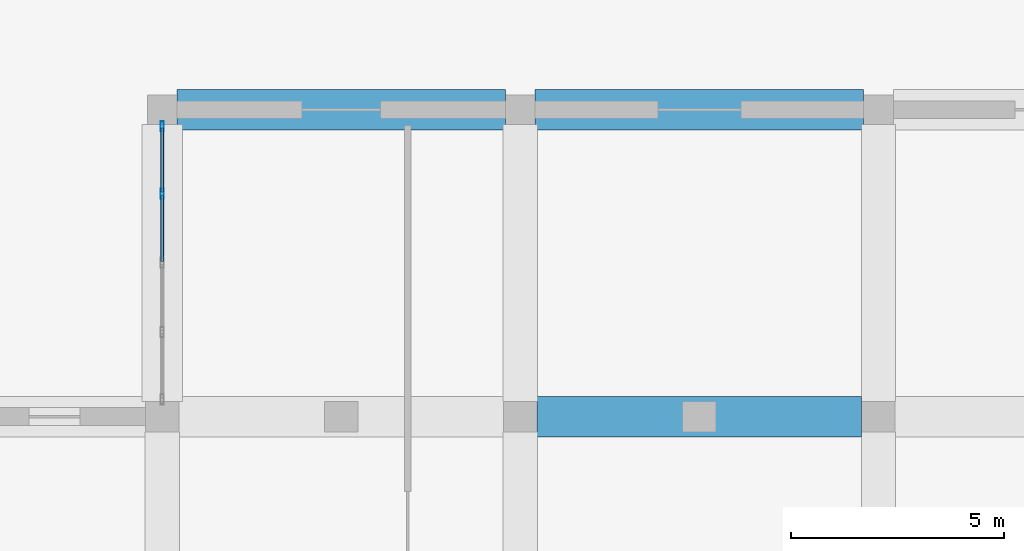
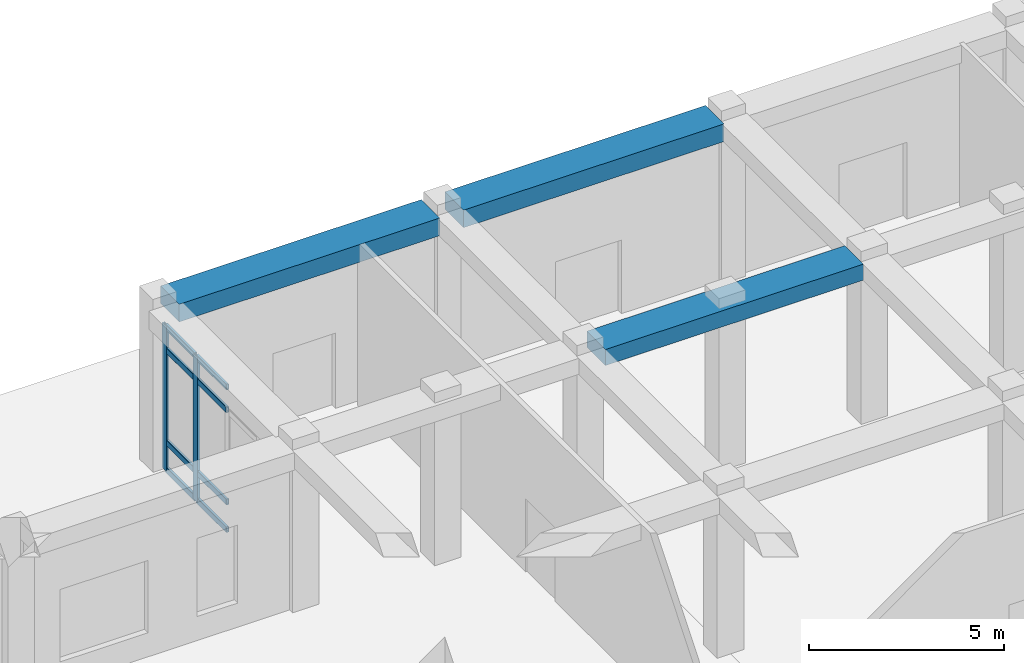
# One storey, part 35 of 84: 10 members, 3 beams, 1 element without a shape of its own.
"""IFC4 building model written with IfcOpenShell, lengths in metres."""

from ifc_helpers import new_model, si_unit, derived_unit, direction, frame, origin, origin_2d, place, context, subcontext, project, spatial, rectangle, hollow_rectangle, extrude, material, material_profile, profile_set, type_object, element, aggregate, save


model = new_model("IFC4")

# Units and contexts
model_context = context("Model", 3, precision=1e-05, world=origin(), true_north=direction((0.0, 1.0)))
body_context = subcontext(model_context, "Body", "Model", "MODEL_VIEW")
ifc_project = project(units=[si_unit("LENGTHUNIT", "METRE"), si_unit("AREAUNIT", "SQUARE_METRE"), si_unit("VOLUMEUNIT", "CUBIC_METRE"), si_unit("PLANEANGLEUNIT", "RADIAN"), si_unit("MASSUNIT", "GRAM", prefix="KILO"), derived_unit("THERMALTRANSMITTANCEUNIT", [(si_unit("POWERUNIT", "WATT"), 1), (si_unit("LENGTHUNIT", "METRE"), -2), (si_unit("THERMODYNAMICTEMPERATUREUNIT", "KELVIN"), -1)])], contexts=[model_context])

# Site, building, storey
site_placement = place(None, origin())
site = spatial("IfcSite", under=ifc_project, at=site_placement, CompositionType="ELEMENT")
building_placement = place(site_placement, origin())
building = spatial("IfcBuilding", under=site, at=building_placement, Name="Veybourne Emporium", CompositionType="ELEMENT")
storey_placement = place(building_placement, origin())
storey = spatial("IfcBuildingStorey", under=building, at=storey_placement, Name="L00", CompositionType="ELEMENT", Elevation=0.0)

# Curtain wall, members
ifc_material_1 = material(Name="Patinated Architectural Bronze", Category="bronze")
curtain_wall_type = type_object("IfcCurtainWallType", Name="CWSystem_CWS-03", PredefinedType="NOTDEFINED", material=ifc_material_1)
curtain_wall_placement = place(storey_placement, origin())
curtain_wall = element("IfcCurtainWall", 1, at=curtain_wall_placement, inside=storey, type_object=curtain_wall_type, Name="L00 bronze glazed curtain wall CWS-03 (030)", PredefinedType="NOTDEFINED")
ifc_material_profile_1 = material_profile(ifc_material_1, hollow_rectangle(XDim=0.077880859375, YDim=0.235107421875, WallThickness=0.0048828125, InnerFilletRadius=0.007568359375, OuterFilletRadius=0.012451171875, at=origin_2d()), Name="CWM 78x235x5")
ifc_profile_set_1 = profile_set([ifc_material_profile_1], Name="Patinated Architectural Bronze")
member_type_1 = type_object("IfcMemberType", Name="CWMullion_CW-M3", PredefinedType="MULLION", material=ifc_profile_set_1)
member_1_placement = place(storey_placement, frame((50.39990234375, 113.2275390625, 0.0), z_axis=(0.0, 0.0, 1.0), x_axis=(-1.0, 0.0, 0.0)))
member_1 = element("IfcMember", 2, at=member_1_placement, type_object=member_type_1, Name="CWS-03 mullion 4", PredefinedType="MULLION", context=body_context, shape_type="SweptSolid", body=[
    extrude(hollow_rectangle(XDim=0.077880859375, YDim=0.235107421875, WallThickness=0.0048828125, InnerFilletRadius=0.007568359375, OuterFilletRadius=0.012451171875, at=origin_2d()), origin(), (0.0, 0.0, 1.0), 4.530029296875),
])
member_2_placement = place(storey_placement, frame((50.39990234375, 114.81103515625, 0.0), z_axis=(0.0, 0.0, 1.0), x_axis=(-1.0, 0.0, 0.0)))
member_2 = element("IfcMember", 3, at=member_2_placement, type_object=member_type_1, Name="CWS-03 mullion 5", PredefinedType="MULLION", context=body_context, shape_type="SweptSolid", body=[
    extrude(hollow_rectangle(XDim=0.077880859375, YDim=0.235107421875, WallThickness=0.0048828125, InnerFilletRadius=0.007568359375, OuterFilletRadius=0.012451171875, at=origin_2d()), origin(), (0.0, 0.0, 1.0), 4.530029296875),
])
ifc_material_profile_2 = material_profile(ifc_material_1, hollow_rectangle(XDim=0.077880859375, YDim=0.18505859375, WallThickness=0.0048828125, InnerFilletRadius=0.007568359375, OuterFilletRadius=0.012451171875, at=origin_2d()), Name="CWT 78x185x5")
ifc_profile_set_2 = profile_set([ifc_material_profile_2], Name="Patinated Architectural Bronze")
member_type_2 = type_object("IfcMemberType", Name="CWTransom_CW-T3", PredefinedType="NOTDEFINED", material=ifc_profile_set_2)
member_3_placement = place(storey_placement, frame((50.39990234375, 111.64404296875, 0.0390625), z_axis=(0.0, 1.0, 0.0), x_axis=(-1.0, 0.0, 0.0)))
member_3 = element("IfcMember", 4, at=member_3_placement, type_object=member_type_2, Name="CWS-03 transom 3.1", ObjectType="TRANSOM", PredefinedType="USERDEFINED", context=body_context, shape_type="SweptSolid", body=[
    extrude(hollow_rectangle(XDim=0.077880859375, YDim=0.18505859375, WallThickness=0.0048828125, InnerFilletRadius=0.007568359375, OuterFilletRadius=0.012451171875, at=origin_2d()), origin(), (0.0, 0.0, 1.0), 1.54443359375),
])
member_4_placement = place(storey_placement, frame((50.39990234375, 111.64404296875, 0.89990234375), z_axis=(0.0, 1.0, 0.0), x_axis=(-1.0, 0.0, 0.0)))
member_4 = element("IfcMember", 5, at=member_4_placement, type_object=member_type_2, Name="CWS-03 transom 3.2", ObjectType="TRANSOM", PredefinedType="USERDEFINED", context=body_context, shape_type="SweptSolid", body=[
    extrude(hollow_rectangle(XDim=0.077880859375, YDim=0.18505859375, WallThickness=0.0048828125, InnerFilletRadius=0.007568359375, OuterFilletRadius=0.012451171875, at=origin_2d()), origin(), (0.0, 0.0, 1.0), 1.54443359375),
])
member_5_placement = place(storey_placement, frame((50.39990234375, 111.64404296875, 3.780029296875), z_axis=(0.0, 1.0, 0.0), x_axis=(-1.0, 0.0, 0.0)))
member_5 = element("IfcMember", 6, at=member_5_placement, type_object=member_type_2, Name="CWS-03 transom 3.3", ObjectType="TRANSOM", PredefinedType="USERDEFINED", context=body_context, shape_type="SweptSolid", body=[
    extrude(hollow_rectangle(XDim=0.077880859375, YDim=0.18505859375, WallThickness=0.0048828125, InnerFilletRadius=0.007568359375, OuterFilletRadius=0.012451171875, at=origin_2d()), origin(), (0.0, 0.0, 1.0), 1.54443359375),
])
member_6_placement = place(storey_placement, frame((50.39990234375, 111.64404296875, 4.490966796875), z_axis=(0.0, 1.0, 0.0), x_axis=(-1.0, 0.0, 0.0)))
member_6 = element("IfcMember", 7, at=member_6_placement, type_object=member_type_2, Name="CWS-03 transom 3.4", ObjectType="TRANSOM", PredefinedType="USERDEFINED", context=body_context, shape_type="SweptSolid", body=[
    extrude(hollow_rectangle(XDim=0.077880859375, YDim=0.18505859375, WallThickness=0.0048828125, InnerFilletRadius=0.007568359375, OuterFilletRadius=0.012451171875, at=origin_2d()), origin(), (0.0, 0.0, 1.0), 1.54443359375),
])
member_7_placement = place(storey_placement, frame((50.39990234375, 113.2666015625, 0.0390625), z_axis=(0.0, 1.0, 0.0), x_axis=(-1.0, 0.0, 0.0)))
member_7 = element("IfcMember", 8, at=member_7_placement, type_object=member_type_2, Name="CWS-03 transom 4.1", ObjectType="TRANSOM", PredefinedType="USERDEFINED", context=body_context, shape_type="SweptSolid", body=[
    extrude(hollow_rectangle(XDim=0.077880859375, YDim=0.18505859375, WallThickness=0.0048828125, InnerFilletRadius=0.007568359375, OuterFilletRadius=0.012451171875, at=origin_2d()), origin(), (0.0, 0.0, 1.0), 1.50537109375),
])
member_8_placement = place(storey_placement, frame((50.39990234375, 113.2666015625, 0.89990234375), z_axis=(0.0, 1.0, 0.0), x_axis=(-1.0, 0.0, 0.0)))
member_8 = element("IfcMember", 9, at=member_8_placement, type_object=member_type_2, Name="CWS-03 transom 4.2", ObjectType="TRANSOM", PredefinedType="USERDEFINED", context=body_context, shape_type="SweptSolid", body=[
    extrude(hollow_rectangle(XDim=0.077880859375, YDim=0.18505859375, WallThickness=0.0048828125, InnerFilletRadius=0.007568359375, OuterFilletRadius=0.012451171875, at=origin_2d()), origin(), (0.0, 0.0, 1.0), 1.50537109375),
])
member_9_placement = place(storey_placement, frame((50.39990234375, 113.2666015625, 3.780029296875), z_axis=(0.0, 1.0, 0.0), x_axis=(-1.0, 0.0, 0.0)))
member_9 = element("IfcMember", 10, at=member_9_placement, type_object=member_type_2, Name="CWS-03 transom 4.3", ObjectType="TRANSOM", PredefinedType="USERDEFINED", context=body_context, shape_type="SweptSolid", body=[
    extrude(hollow_rectangle(XDim=0.077880859375, YDim=0.18505859375, WallThickness=0.0048828125, InnerFilletRadius=0.007568359375, OuterFilletRadius=0.012451171875, at=origin_2d()), origin(), (0.0, 0.0, 1.0), 1.50537109375),
])
member_10_placement = place(storey_placement, frame((50.39990234375, 113.2666015625, 4.490966796875), z_axis=(0.0, 1.0, 0.0), x_axis=(-1.0, 0.0, 0.0)))
member_10 = element("IfcMember", 11, at=member_10_placement, type_object=member_type_2, Name="CWS-03 transom 4.4", ObjectType="TRANSOM", PredefinedType="USERDEFINED", context=body_context, shape_type="SweptSolid", body=[
    extrude(hollow_rectangle(XDim=0.077880859375, YDim=0.18505859375, WallThickness=0.0048828125, InnerFilletRadius=0.007568359375, OuterFilletRadius=0.012451171875, at=origin_2d()), origin(), (0.0, 0.0, 1.0), 1.50537109375),
])
aggregate(curtain_wall, [member_1, member_2, member_3, member_4, member_5, member_6, member_7, member_8, member_9, member_10])

# Beams
ifc_material_2 = material(Name="Concrete C32/40", Category="concrete")
ifc_material_profile_3 = material_profile(ifc_material_2, rectangle(XDim=0.949951171875, YDim=0.5, at=origin_2d()), Name="RC 950x500")
ifc_profile_set_3 = profile_set([ifc_material_profile_3], Name="Concrete C32/40")
beam_type_1 = type_object("IfcBeamType", Name="RCBeam_BB-01", PredefinedType="BEAM", material=ifc_profile_set_3)
beam_1_placement = place(storey_placement, frame((59.18994140625, 108.0, 4.830078125), z_axis=(1.0, 0.0, 0.0), x_axis=(0.0, 1.0, 0.0)))
element("IfcBeam", 12, at=beam_1_placement, inside=storey, type_object=beam_type_1, Name="L00 X-grid beam BB-01 (7,15)", PredefinedType="BEAM", context=body_context, shape_type="SweptSolid", body=[
    extrude(rectangle(XDim=0.949951171875, YDim=0.5, at=origin_2d()), origin(), (0.0, 0.0, 1.0), 7.6201171875),
])
ifc_material_profile_4 = material_profile(ifc_material_2, rectangle(XDim=0.949951171875, YDim=0.550048828125, at=origin_2d()), Name="RC 950x550")
ifc_profile_set_4 = profile_set([ifc_material_profile_4], Name="Concrete C32/40")
beam_type_2 = type_object("IfcBeamType", Name="RCBeam_EB-01", PredefinedType="SPANDREL", material=ifc_profile_set_4)
beam_2_placement = place(storey_placement, frame((50.75, 115.199951171875, 4.804931640625), z_axis=(1.0, 0.0, 0.0), x_axis=(0.0, 1.0, 0.0)))
element("IfcBeam", 13, at=beam_2_placement, inside=storey, type_object=beam_type_2, Name="L00 X-grid beam EB-01 (6,16)", PredefinedType="SPANDREL", context=body_context, shape_type="SweptSolid", body=[
    extrude(rectangle(XDim=0.949951171875, YDim=0.550048828125, at=origin_2d()), origin(), (0.0, 0.0, 1.0), 7.699951171875),
])
beam_3_placement = place(storey_placement, frame((59.14990234375, 115.199951171875, 4.804931640625), z_axis=(1.0, 0.0, 0.0), x_axis=(0.0, 1.0, 0.0)))
element("IfcBeam", 14, at=beam_3_placement, inside=storey, type_object=beam_type_2, Name="L00 X-grid beam EB-01 (7,16)", PredefinedType="SPANDREL", context=body_context, shape_type="SweptSolid", body=[
    extrude(rectangle(XDim=0.949951171875, YDim=0.550048828125, at=origin_2d()), origin(), (0.0, 0.0, 1.0), 7.7001953125),
])

save(model, "model.ifc")
